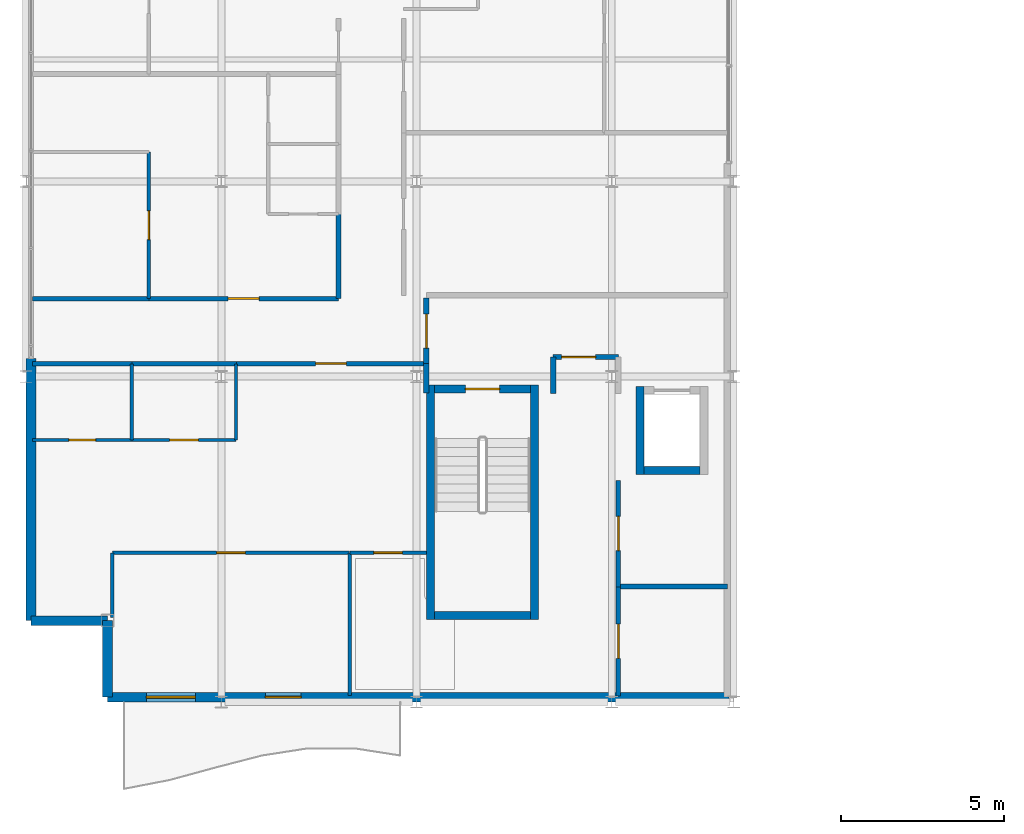
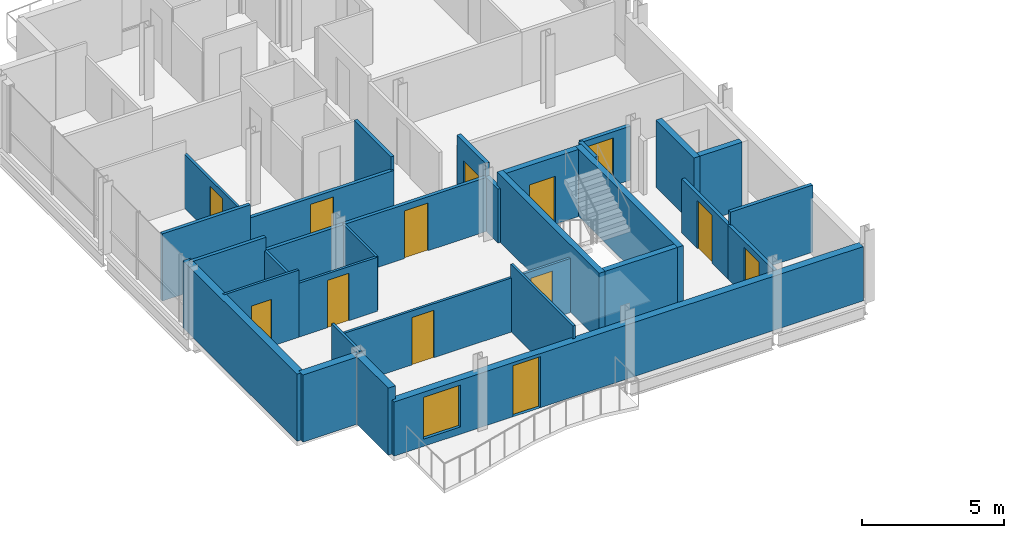
# One storey, part 23 of 29: 32 walls, 13 doors, 1 window, 14 openings.
"""IFC4 building model written with IfcOpenShell, lengths in metres."""

from ifc_helpers import new_model, si_unit, direction, frame, frame_2d, origin, place, context, subcontext, project, spatial, rectangle, extrude, material, layer, layer_set, type_object, element, fill, save


model = new_model("IFC4")

# Units and contexts
model_context = context("Model", 3, precision=1e-05, world=origin(), true_north=direction((0.0, 1.0)))
body_context = subcontext(model_context, "Body", "Model", "MODEL_VIEW")
ifc_project = project(units=[si_unit("LENGTHUNIT", "METRE"), si_unit("AREAUNIT", "SQUARE_METRE"), si_unit("VOLUMEUNIT", "CUBIC_METRE"), si_unit("PLANEANGLEUNIT", "RADIAN"), si_unit("MASSUNIT", "GRAM", prefix="KILO")], contexts=[model_context])

# Site, building, storey
site_placement = place(None, origin())
site = spatial("IfcSite", under=ifc_project, at=site_placement, CompositionType="ELEMENT")
building_placement = place(site_placement, origin())
building = spatial("IfcBuilding", under=site, at=building_placement, Name="Brevholm Reach", CompositionType="ELEMENT")
storey_placement = place(building_placement, frame((0.0, 0.0, 201.800048828125)))
storey = spatial("IfcBuildingStorey", under=building, at=storey_placement, Name="L61", CompositionType="ELEMENT", Elevation=201.800048828125)

# Walls
ifc_material_1 = material(Name="Concrete C45/55", Category="concrete")
ifc_layer_1 = layer(ifc_material_1, 0.239990234375)
ifc_layer_set_1 = layer_set([ifc_layer_1], Name="Concrete C45/55")
wall_type_1 = type_object("IfcWallType", Name="WAL-COR-240", PredefinedType="SHEAR", material=ifc_layer_set_1)
for number, where, z_axis, x_axis, name in (
    (1, (12.429931640625, 2.5400390625, 0.0), (0.0, 0.0, 1.0), (0.0, 1.0, 0.0), "L61 Escape Stair ST-1 Core Wall W"),
    (2, (15.6201171875, 2.5400390625, 0.0), (0.0, 0.0, 1.0), (0.0, 1.0, 0.0), "L61 Escape Stair ST-1 Core Wall E"),
):
    element("IfcWall", number, at=place(storey_placement, frame(where, z_axis=z_axis, x_axis=x_axis)), inside=storey, type_object=wall_type_1, Name=name, PredefinedType="SHEAR", context=body_context, shape_type="SweptSolid", body=[
        extrude(rectangle(XDim=7.199951171875, YDim=0.239990234375, at=frame_2d((3.60009765625, 0.0))), origin(), (0.0, 0.0, 1.0), 2.889892578125),
    ])
wall_1_placement = place(storey_placement, frame((12.550048828125, 2.659912109375, 0.0), z_axis=(0.0, 0.0, 1.0), x_axis=(1.0, 0.0, 0.0)))
element("IfcWall", 3, at=wall_1_placement, inside=storey, type_object=wall_type_1, Name="L61 Escape Stair ST-1 Core Wall S", PredefinedType="SHEAR", context=body_context, shape_type="SweptSolid", body=[
    extrude(rectangle(XDim=2.949951171875, YDim=0.239990234375, at=frame_2d((1.47509765625, 0.0))), origin(), (0.0, 0.0, 1.0), 2.889892578125),
])

# Wall, opening, door
wall_2_placement = place(storey_placement, frame((15.5, 9.6201171875, 0.0), z_axis=(0.0, 0.0, 1.0), x_axis=(-1.0, 0.0, 0.0)))
wall_2 = element("IfcWall", 4, at=wall_2_placement, inside=storey, type_object=wall_type_1, Name="L61 Escape Stair ST-1 Core Wall N", PredefinedType="SHEAR", context=body_context, shape_type="SweptSolid", body=[
    extrude(rectangle(XDim=2.949951171875, YDim=0.239990234375, at=frame_2d((1.47509765625, 0.0))), origin(), (0.0, 0.0, 1.0), 2.889892578125),
])
opening_1_placement = place(wall_2_placement, frame((0.949951171875, 0.0, 0.0)))
opening_1 = element("IfcOpeningElement", 5, at=opening_1_placement, cuts=wall_2, Name="Opening SD-ST-1", PredefinedType="OPENING", context=body_context, shape_type="SweptSolid", body=[
    extrude(rectangle(XDim=1.050048828125, YDim=2.06005859375, at=frame_2d((0.52490234375, 1.030029296875))), frame((0.0, 0.1298828125, 0.0), z_axis=(0.0, -1.0, 0.0), x_axis=(1.0, 0.0, 0.0)), (0.0, 0.0, 1.0), 0.260009765625),
])
ifc_material_2 = material(Name="Hardwood-Lipped Steel-Core Fire and Smoke Door", Category="steel")
door_type_1 = type_object("IfcDoorType", Name="DOR-INT-FD60S", OperationType="NOTDEFINED", PredefinedType="DOOR", material=ifc_material_2)
door_1_placement = place(opening_1_placement, origin())
door_1 = element("IfcDoor", 6, at=door_1_placement, inside=storey, type_object=door_type_1, Name="L61 Protected Stair ST-1 Lobby Door", OperationType="SINGLE_SWING_LEFT", OverallHeight=2.06005859375, OverallWidth=1.050048828125, PredefinedType="DOOR", context=body_context, shape_type="SweptSolid", body=[
    extrude(rectangle(XDim=1.050048828125, YDim=2.06005859375, at=frame_2d((0.52490234375, 1.030029296875))), frame((0.0, 0.02490234375, 0.0), z_axis=(0.0, -1.0, 0.0), x_axis=(1.0, 0.0, 0.0)), (0.0, 0.0, 1.0), 0.050048828125),
])
fill(opening_1, door_1)

# Walls
wall_3_placement = place(storey_placement, frame((18.8701171875, 7.0, 0.0), z_axis=(0.0, 0.0, 1.0), x_axis=(0.0, 1.0, 0.0)))
element("IfcWall", 7, at=wall_3_placement, inside=storey, type_object=wall_type_1, Name="L61 Lift FFL-1 Shaft Wall W", PredefinedType="SHEAR", context=body_context, shape_type="SweptSolid", body=[
    extrude(rectangle(XDim=2.699951171875, YDim=0.239990234375, at=frame_2d((1.35009765625, 0.0))), origin(), (0.0, 0.0, 1.0), 2.889892578125),
])
wall_4_placement = place(storey_placement, frame((18.989990234375, 7.1201171875, 0.0), z_axis=(0.0, 0.0, 1.0), x_axis=(1.0, 0.0, 0.0)))
element("IfcWall", 8, at=wall_4_placement, inside=storey, type_object=wall_type_1, Name="L61 Lift FFL-1 Shaft Wall S", PredefinedType="SHEAR", context=body_context, shape_type="SweptSolid", body=[
    extrude(rectangle(XDim=1.719970703125, YDim=0.239990234375, at=frame_2d((0.85986328125, 0.0))), origin(), (0.0, 0.0, 1.0), 2.889892578125),
])
ifc_material_3 = material(Name="Concrete C40/50", Category="concrete")
ifc_layer_2 = layer(ifc_material_3, 0.300048828125)
ifc_layer_set_2 = layer_set([ifc_layer_2], Name="Concrete C40/50")
wall_type_2 = type_object("IfcWallType", Name="WAL-EXT-300", PredefinedType="STANDARD", material=ifc_layer_set_2)
for number, where, z_axis, x_axis, name in (
    (9, (2.5, 2.5, 0.0), (0.0, 0.0, 1.0), (0.0, -1.0, 0.0), "L61 Facade Wall WAL-L61-WW-CSW1"),
    (10, (0.14990234375, 2.5, 0.0), (0.0, 0.0, 1.0), (1.0, 0.0, 0.0), "L61 Facade Wall WAL-L61-WW-CSW2"),
):
    element("IfcWall", number, at=place(storey_placement, frame(where, z_axis=z_axis, x_axis=x_axis)), inside=storey, type_object=wall_type_2, Name=name, PredefinedType="STANDARD", context=body_context, shape_type="SweptSolid", body=[
        extrude(rectangle(XDim=2.35009765625, YDim=0.300048828125, at=frame_2d((1.175048828125, 0.0))), origin(), (0.0, 0.0, 1.0), 2.889892578125),
    ])

# Wall, openings, door, window
wall_5_placement = place(storey_placement, frame((2.5, 0.14990234375, 0.0), z_axis=(0.0, 0.0, 1.0), x_axis=(1.0, 0.0, 0.0)))
wall_5 = element("IfcWall", 11, at=wall_5_placement, inside=storey, type_object=wall_type_2, Name="L61 Facade Wall WAL-L61-WW-S", PredefinedType="STANDARD", context=body_context, shape_type="SweptSolid", body=[
    extrude(rectangle(XDim=19.10009765625, YDim=0.300048828125, at=frame_2d((9.550048828125, 0.0))), origin(), (0.0, 0.0, 1.0), 2.331787109375),
])
opening_2_placement = place(wall_5_placement, frame((4.85009765625, 0.0, 0.0)))
opening_2 = element("IfcOpeningElement", 12, at=opening_2_placement, cuts=wall_5, Name="Opening BD-01", PredefinedType="OPENING", context=body_context, shape_type="SweptSolid", body=[
    extrude(rectangle(XDim=1.10009765625, YDim=2.199951171875, at=frame_2d((0.550048828125, 1.10009765625))), frame((0.0, 0.159912109375, 0.0), z_axis=(0.0, -1.0, 0.0), x_axis=(1.0, 0.0, 0.0)), (0.0, 0.0, 1.0), 0.320068359375),
])
opening_3_placement = place(wall_5_placement, frame((1.199951171875, 0.0, 0.31201171875)))
opening_3 = element("IfcOpeningElement", 13, at=opening_3_placement, cuts=wall_5, Name="Opening WN-05", PredefinedType="OPENING", context=body_context, shape_type="SweptSolid", body=[
    extrude(rectangle(XDim=1.5, YDim=1.800048828125, at=frame_2d((0.75, 0.89990234375))), frame((0.0, 0.159912109375, 0.0), z_axis=(0.0, -1.0, 0.0), x_axis=(1.0, 0.0, 0.0)), (0.0, 0.0, 1.0), 0.320068359375),
])
ifc_material_4 = material(Name="Dark Anodised Aluminium and Triple-Glazed Glass", Category="aluminium")
door_type_2 = type_object("IfcDoorType", Name="DOR-BALC-1100", OperationType="NOTDEFINED", PredefinedType="DOOR", material=ifc_material_4)
door_2_placement = place(opening_2_placement, origin())
door_2 = element("IfcDoor", 14, at=door_2_placement, inside=storey, type_object=door_type_2, Name="L61 Exterior Door DOR-L61-BL-SW", OperationType="SINGLE_SWING_LEFT", OverallHeight=2.199951171875, OverallWidth=1.10009765625, PredefinedType="DOOR", context=body_context, shape_type="SweptSolid", body=[
    extrude(rectangle(XDim=1.10009765625, YDim=2.199951171875, at=frame_2d((0.550048828125, 1.10009765625))), frame((0.0, 0.02490234375, 0.0), z_axis=(0.0, -1.0, 0.0), x_axis=(1.0, 0.0, 0.0)), (0.0, 0.0, 1.0), 0.050048828125),
])
fill(opening_2, door_2)
ifc_material_5 = material(Name="Dark Anodised Aluminium and Solar-Control IGU Glass", Category="aluminium")
window_type = type_object("IfcWindowType", Name="WIN-RES-1500", PartitioningType="SINGLE_PANEL", PredefinedType="WINDOW", material=ifc_material_5)
window_placement = place(opening_3_placement, origin())
window = element("IfcWindow", 15, at=window_placement, inside=storey, type_object=window_type, Name="L61 Window WIN-L61-WWS-1", OverallHeight=1.800048828125, OverallWidth=1.5, PartitioningType="SINGLE_PANEL", PredefinedType="WINDOW", context=body_context, shape_type="SweptSolid", body=[
    extrude(rectangle(XDim=1.5, YDim=1.800048828125, at=frame_2d((0.75, 0.89990234375))), frame((0.0, 0.030029296875, 0.0), z_axis=(0.0, -1.0, 0.0), x_axis=(1.0, 0.0, 0.0)), (0.0, 0.0, 1.0), 0.06005859375),
])
fill(opening_3, window)

# Walls
wall_6_placement = place(storey_placement, frame((0.14990234375, 10.550048828125, 0.0), z_axis=(0.0, 0.0, 1.0), x_axis=(0.0, -1.0, 0.0)))
element("IfcWall", 16, at=wall_6_placement, inside=storey, type_object=wall_type_2, Name="L61 Facade Wall WAL-L61-WW-WS", PredefinedType="STANDARD", context=body_context, shape_type="SweptSolid", body=[
    extrude(rectangle(XDim=8.050048828125, YDim=0.300048828125, at=frame_2d((4.02490234375, 0.0))), origin(), (0.0, 0.0, 1.0), 2.889892578125),
])
ifc_material_6 = material(Name="Moisture-Resistant Acoustic Gypsum Stud Partition 100 mm", Category="gypsum")
ifc_layer_3 = layer(ifc_material_6, 0.10009765625)
ifc_layer_set_3 = layer_set([ifc_layer_3], Name="Moisture-Resistant Acoustic Gypsum Stud Partition 100 mm")
wall_type_3 = type_object("IfcWallType", Name="WAL-PRT-100", PredefinedType="PARTITIONING", material=ifc_layer_set_3)
wall_7_placement = place(storey_placement, frame((3.25, 8.053955078125, 0.0), z_axis=(0.0, 0.0, 1.0), x_axis=(0.0, 1.0, 0.0)))
element("IfcWall", 17, at=wall_7_placement, inside=storey, type_object=wall_type_3, Name="L61 Internal Partition 039", PredefinedType="PARTITIONING", context=body_context, shape_type="SweptSolid", body=[
    extrude(rectangle(XDim=2.342041015625, YDim=0.10009765625, at=frame_2d((1.1708984375, 0.0))), origin(), (0.0, 0.0, 1.0), 2.325439453125),
])

# Wall, opening, door
wall_8_placement = place(storey_placement, frame((0.199951171875, 8.053955078125, 0.0), z_axis=(0.0, 0.0, 1.0), x_axis=(1.0, 0.0, 0.0)))
wall_8 = element("IfcWall", 18, at=wall_8_placement, inside=storey, type_object=wall_type_3, Name="L61 Internal Partition 040", PredefinedType="PARTITIONING", context=body_context, shape_type="SweptSolid", body=[
    extrude(rectangle(XDim=3.050048828125, YDim=0.10009765625, at=frame_2d((1.52490234375, 0.0))), origin(), (0.0, 0.0, 1.0), 2.889892578125),
])
opening_4_placement = place(wall_8_placement, frame((1.114990234375, 0.0, 0.0)))
opening_4 = element("IfcOpeningElement", 19, at=opening_4_placement, cuts=wall_8, Name="Opening ID-03", PredefinedType="OPENING", context=body_context, shape_type="SweptSolid", body=[
    extrude(rectangle(XDim=0.820068359375, YDim=2.02001953125, at=frame_2d((0.41015625, 1.010009765625))), frame((0.0, 0.06005859375, 0.0), z_axis=(0.0, -1.0, 0.0), x_axis=(1.0, 0.0, 0.0)), (0.0, 0.0, 1.0), 0.1201171875),
])
ifc_material_7 = material(Name="Moisture-Resistant Painted Timber Internal Bathroom Door", Category="wood")
door_type_3 = type_object("IfcDoorType", Name="DOR-BATH-820", OperationType="NOTDEFINED", PredefinedType="DOOR", material=ifc_material_7)
door_3_placement = place(opening_4_placement, origin())
door_3 = element("IfcDoor", 20, at=door_3_placement, inside=storey, type_object=door_type_3, Name="L61 Internal Door 019", OperationType="SINGLE_SWING_RIGHT", OverallHeight=2.02001953125, OverallWidth=0.820068359375, PredefinedType="DOOR", context=body_context, shape_type="SweptSolid", body=[
    extrude(rectangle(XDim=0.820068359375, YDim=2.02001953125, at=frame_2d((0.41015625, 1.010009765625))), frame((0.0, 0.02490234375, 0.0), z_axis=(0.0, -1.0, 0.0), x_axis=(1.0, 0.0, 0.0)), (0.0, 0.0, 1.0), 0.050048828125),
])
fill(opening_4, door_3)

wall_9_placement = place(storey_placement, frame((3.25390625, 8.053955078125, 0.0), z_axis=(0.0, 0.0, 1.0), x_axis=(1.0, 0.0, 0.0)))
wall_9 = element("IfcWall", 21, at=wall_9_placement, inside=storey, type_object=wall_type_3, Name="L61 Internal Partition 041", PredefinedType="PARTITIONING", context=body_context, shape_type="SweptSolid", body=[
    extrude(rectangle(XDim=3.196044921875, YDim=0.10009765625, at=frame_2d((1.59814453125, 0.0))), origin(), (0.0, 0.0, 1.0), 2.325439453125),
])
opening_5_placement = place(wall_9_placement, frame((1.157958984375, 0.0, 0.0)))
opening_5 = element("IfcOpeningElement", 22, at=opening_5_placement, cuts=wall_9, Name="Opening ID-01", PredefinedType="OPENING", context=body_context, shape_type="SweptSolid", body=[
    extrude(rectangle(XDim=0.8798828125, YDim=2.0400390625, at=frame_2d((0.43994140625, 1.02001953125))), frame((0.0, 0.06005859375, 0.0), z_axis=(0.0, -1.0, 0.0), x_axis=(1.0, 0.0, 0.0)), (0.0, 0.0, 1.0), 0.1201171875),
])
ifc_material_8 = material(Name="Lacquered Ash Solid-Core Acoustic Internal Door", Category="timber")
door_type_4 = type_object("IfcDoorType", Name="DOR-INT-880", OperationType="NOTDEFINED", PredefinedType="DOOR", material=ifc_material_8)
door_4_placement = place(opening_5_placement, origin())
door_4 = element("IfcDoor", 23, at=door_4_placement, inside=storey, type_object=door_type_4, Name="L61 Internal Door 020", OperationType="SINGLE_SWING_LEFT", OverallHeight=2.0400390625, OverallWidth=0.8798828125, PredefinedType="DOOR", context=body_context, shape_type="SweptSolid", body=[
    extrude(rectangle(XDim=0.8798828125, YDim=2.0400390625, at=frame_2d((0.43994140625, 1.02001953125))), frame((0.0, 0.02490234375, 0.0), z_axis=(0.0, -1.0, 0.0), x_axis=(1.0, 0.0, 0.0)), (0.0, 0.0, 1.0), 0.050048828125),
])
fill(opening_5, door_4)

# Walls
wall_10_placement = place(storey_placement, frame((6.449951171875, 8.053955078125, 0.0), z_axis=(0.0, 0.0, 1.0), x_axis=(0.0, 1.0, 0.0)))
element("IfcWall", 24, at=wall_10_placement, inside=storey, type_object=wall_type_3, Name="L61 Internal Partition 042", PredefinedType="PARTITIONING", context=body_context, shape_type="SweptSolid", body=[
    extrude(rectangle(XDim=2.342041015625, YDim=0.10009765625, at=frame_2d((1.1708984375, 0.0))), origin(), (0.0, 0.0, 1.0), 2.325439453125),
])
wall_11_placement = place(storey_placement, frame((9.946044921875, 0.199951171875, 0.0), z_axis=(0.0, 0.0, 1.0), x_axis=(0.0, 1.0, 0.0)))
element("IfcWall", 25, at=wall_11_placement, inside=storey, type_object=wall_type_3, Name="L61 Internal Partition 043", PredefinedType="PARTITIONING", context=body_context, shape_type="SweptSolid", body=[
    extrude(rectangle(XDim=4.385986328125, YDim=0.10009765625, at=frame_2d((2.19287109375, 0.0))), origin(), (0.0, 0.0, 1.0), 2.889892578125),
])
wall_12_placement = place(storey_placement, frame((2.64990234375, 2.599365234375, 0.0), z_axis=(0.0, 0.0, 1.0), x_axis=(0.0, 1.0, 0.0)))
element("IfcWall", 26, at=wall_12_placement, inside=storey, type_object=wall_type_3, Name="L61 Internal Partition 044", PredefinedType="PARTITIONING", context=body_context, shape_type="SweptSolid", body=[
    extrude(rectangle(XDim=1.986572265625, YDim=0.10009765625, at=frame_2d((0.9931640625, 0.0))), origin(), (0.0, 0.0, 1.0), 2.889892578125),
])

# Wall, opening, door
wall_13_placement = place(storey_placement, frame((2.64990234375, 4.5859375, 0.0), z_axis=(0.0, 0.0, 1.0), x_axis=(1.0, 0.0, 0.0)))
wall_13 = element("IfcWall", 27, at=wall_13_placement, inside=storey, type_object=wall_type_3, Name="L61 Internal Partition 045", PredefinedType="PARTITIONING", context=body_context, shape_type="SweptSolid", body=[
    extrude(rectangle(XDim=7.296142578125, YDim=0.10009765625, at=frame_2d((3.64794921875, 0.0))), origin(), (0.0, 0.0, 1.0), 2.325439453125),
])
opening_6_placement = place(wall_13_placement, frame((3.2080078125, 0.0, 0.0)))
opening_6 = element("IfcOpeningElement", 28, at=opening_6_placement, cuts=wall_13, Name="Opening ID-01", PredefinedType="OPENING", context=body_context, shape_type="SweptSolid", body=[
    extrude(rectangle(XDim=0.8798828125, YDim=2.0400390625, at=frame_2d((0.43994140625, 1.02001953125))), frame((0.0, 0.06005859375, 0.0), z_axis=(0.0, -1.0, 0.0), x_axis=(1.0, 0.0, 0.0)), (0.0, 0.0, 1.0), 0.1201171875),
])
door_5_placement = place(opening_6_placement, origin())
door_5 = element("IfcDoor", 29, at=door_5_placement, inside=storey, type_object=door_type_4, Name="L61 Internal Door 021", OperationType="SINGLE_SWING_RIGHT", OverallHeight=2.0400390625, OverallWidth=0.8798828125, PredefinedType="DOOR", context=body_context, shape_type="SweptSolid", body=[
    extrude(rectangle(XDim=0.8798828125, YDim=2.0400390625, at=frame_2d((0.43994140625, 1.02001953125))), frame((0.0, 0.02490234375, 0.0), z_axis=(0.0, -1.0, 0.0), x_axis=(1.0, 0.0, 0.0)), (0.0, 0.0, 1.0), 0.050048828125),
])
fill(opening_6, door_5)

wall_14_placement = place(storey_placement, frame((9.949951171875, 4.5859375, 0.0), z_axis=(0.0, 0.0, 1.0), x_axis=(1.0, 0.0, 0.0)))
wall_14 = element("IfcWall", 30, at=wall_14_placement, inside=storey, type_object=wall_type_3, Name="L61 Internal Partition 046", PredefinedType="PARTITIONING", context=body_context, shape_type="SweptSolid", body=[
    extrude(rectangle(XDim=2.35009765625, YDim=0.10009765625, at=frame_2d((1.175048828125, 0.0))), origin(), (0.0, 0.0, 1.0), 2.325439453125),
])
opening_7_placement = place(wall_14_placement, frame((0.735107421875, 0.0, 0.0)))
opening_7 = element("IfcOpeningElement", 31, at=opening_7_placement, cuts=wall_14, Name="Opening ID-01", PredefinedType="OPENING", context=body_context, shape_type="SweptSolid", body=[
    extrude(rectangle(XDim=0.8798828125, YDim=2.0400390625, at=frame_2d((0.43994140625, 1.02001953125))), frame((0.0, 0.06005859375, 0.0), z_axis=(0.0, -1.0, 0.0), x_axis=(1.0, 0.0, 0.0)), (0.0, 0.0, 1.0), 0.1201171875),
])
door_6_placement = place(opening_7_placement, origin())
door_6 = element("IfcDoor", 32, at=door_6_placement, inside=storey, type_object=door_type_4, Name="L61 Internal Door 022", OperationType="SINGLE_SWING_LEFT", OverallHeight=2.0400390625, OverallWidth=0.8798828125, PredefinedType="DOOR", context=body_context, shape_type="SweptSolid", body=[
    extrude(rectangle(XDim=0.8798828125, YDim=2.0400390625, at=frame_2d((0.43994140625, 1.02001953125))), frame((0.0, 0.02490234375, 0.0), z_axis=(0.0, -1.0, 0.0), x_axis=(1.0, 0.0, 0.0)), (0.0, 0.0, 1.0), 0.050048828125),
])
fill(opening_7, door_6)

wall_15_placement = place(storey_placement, frame((3.77197265625, 12.404052734375, 0.0), z_axis=(0.0, 0.0, 1.0), x_axis=(0.0, 1.0, 0.0)))
wall_15 = element("IfcWall", 33, at=wall_15_placement, inside=storey, type_object=wall_type_3, Name="L61 Internal Partition 052", PredefinedType="PARTITIONING", context=body_context, shape_type="SweptSolid", body=[
    extrude(rectangle(XDim=4.495849609375, YDim=0.10009765625, at=frame_2d((2.248046875, 0.0))), origin(), (0.0, 0.0, 1.0), 2.325439453125),
])
opening_8_placement = place(wall_15_placement, frame((1.80810546875, 0.0, 0.0)))
opening_8 = element("IfcOpeningElement", 34, at=opening_8_placement, cuts=wall_15, Name="Opening ID-01", PredefinedType="OPENING", context=body_context, shape_type="SweptSolid", body=[
    extrude(rectangle(XDim=0.8798828125, YDim=2.0400390625, at=frame_2d((0.43994140625, 1.02001953125))), frame((0.0, 0.06005859375, 0.0), z_axis=(0.0, -1.0, 0.0), x_axis=(1.0, 0.0, 0.0)), (0.0, 0.0, 1.0), 0.1201171875),
])
door_7_placement = place(opening_8_placement, origin())
door_7 = element("IfcDoor", 35, at=door_7_placement, inside=storey, type_object=door_type_4, Name="L61 Internal Door 025", OperationType="SINGLE_SWING_RIGHT", OverallHeight=2.0400390625, OverallWidth=0.8798828125, PredefinedType="DOOR", context=body_context, shape_type="SweptSolid", body=[
    extrude(rectangle(XDim=0.8798828125, YDim=2.0400390625, at=frame_2d((0.43994140625, 1.02001953125))), frame((0.0, 0.02490234375, 0.0), z_axis=(0.0, -1.0, 0.0), x_axis=(1.0, 0.0, 0.0)), (0.0, 0.0, 1.0), 0.050048828125),
])
fill(opening_8, door_7)

ifc_material_9 = material(Name="Twin-Stud Acoustic Fire-Rated Gypsum Partition 140 mm", Category="gypsum")
ifc_layer_4 = layer(ifc_material_9, 0.139892578125)
ifc_layer_set_4 = layer_set([ifc_layer_4], Name="Twin-Stud Acoustic Fire-Rated Gypsum Partition 140 mm")
wall_type_4 = type_object("IfcWallType", Name="WAL-PRT-140", PredefinedType="PARTITIONING", material=ifc_layer_set_4)
wall_16_placement = place(storey_placement, frame((18.199951171875, 0.179931640625, 0.0), z_axis=(0.0, 0.0, 1.0), x_axis=(0.0, 1.0, 0.0)))
wall_16 = element("IfcWall", 36, at=wall_16_placement, inside=storey, type_object=wall_type_4, Name="L61 Internal Partition 001", PredefinedType="PARTITIONING", context=body_context, shape_type="SweptSolid", body=[
    extrude(rectangle(XDim=3.38134765625, YDim=0.139892578125, at=frame_2d((1.690673828125, 0.0))), origin(), (0.0, 0.0, 1.0), 2.325439453125),
])
opening_9_placement = place(wall_16_placement, frame((1.16552734375, 0.0, 0.0)))
opening_9 = element("IfcOpeningElement", 37, at=opening_9_placement, cuts=wall_16, Name="Opening FD-01", PredefinedType="OPENING", context=body_context, shape_type="SweptSolid", body=[
    extrude(rectangle(XDim=1.050048828125, YDim=2.06005859375, at=frame_2d((0.52490234375, 1.030029296875))), frame((0.0, 0.079833984375, 0.0), z_axis=(0.0, -1.0, 0.0), x_axis=(1.0, 0.0, 0.0)), (0.0, 0.0, 1.0), 0.159912109375),
])
door_8_placement = place(opening_9_placement, origin())
door_8 = element("IfcDoor", 38, at=door_8_placement, inside=storey, type_object=door_type_1, Name="L61 Internal Door 001", OperationType="SINGLE_SWING_RIGHT", OverallHeight=2.06005859375, OverallWidth=1.050048828125, PredefinedType="DOOR", context=body_context, shape_type="SweptSolid", body=[
    extrude(rectangle(XDim=1.050048828125, YDim=2.06005859375, at=frame_2d((0.52490234375, 1.030029296875))), frame((0.0, 0.02490234375, 0.0), z_axis=(0.0, -1.0, 0.0), x_axis=(1.0, 0.0, 0.0)), (0.0, 0.0, 1.0), 0.050048828125),
])
fill(opening_9, door_8)

wall_17_placement = place(storey_placement, frame((18.199951171875, 3.542724609375, 0.0), z_axis=(0.0, 0.0, 1.0), x_axis=(0.0, 1.0, 0.0)))
wall_17 = element("IfcWall", 39, at=wall_17_placement, inside=storey, type_object=wall_type_4, Name="L61 Internal Partition 002", PredefinedType="PARTITIONING", context=body_context, shape_type="SweptSolid", body=[
    extrude(rectangle(XDim=3.2685546875, YDim=0.139892578125, at=frame_2d((1.63427734375, 0.0))), origin(), (0.0, 0.0, 1.0), 2.325439453125),
])
opening_10_placement = place(wall_17_placement, frame((1.109375, 0.0, 0.0)))
opening_10 = element("IfcOpeningElement", 40, at=opening_10_placement, cuts=wall_17, Name="Opening FD-01", PredefinedType="OPENING", context=body_context, shape_type="SweptSolid", body=[
    extrude(rectangle(XDim=1.050048828125, YDim=2.06005859375, at=frame_2d((0.52490234375, 1.030029296875))), frame((0.0, 0.079833984375, 0.0), z_axis=(0.0, -1.0, 0.0), x_axis=(1.0, 0.0, 0.0)), (0.0, 0.0, 1.0), 0.159912109375),
])
door_9_placement = place(opening_10_placement, origin())
door_9 = element("IfcDoor", 41, at=door_9_placement, inside=storey, type_object=door_type_1, Name="L61 Internal Door 002", OperationType="SINGLE_SWING_LEFT", OverallHeight=2.06005859375, OverallWidth=1.050048828125, PredefinedType="DOOR", context=body_context, shape_type="SweptSolid", body=[
    extrude(rectangle(XDim=1.050048828125, YDim=2.06005859375, at=frame_2d((0.52490234375, 1.030029296875))), frame((0.0, 0.02490234375, 0.0), z_axis=(0.0, -1.0, 0.0), x_axis=(1.0, 0.0, 0.0)), (0.0, 0.0, 1.0), 0.050048828125),
])
fill(opening_10, door_9)

# Walls
wall_18_placement = place(storey_placement, frame((18.2041015625, 3.550048828125, 0.0), z_axis=(0.0, 0.0, 1.0), x_axis=(1.0, 0.0, 0.0)))
element("IfcWall", 42, at=wall_18_placement, inside=storey, type_object=wall_type_4, Name="L61 Internal Partition 011", PredefinedType="PARTITIONING", context=body_context, shape_type="SweptSolid", body=[
    extrude(rectangle(XDim=3.345947265625, YDim=0.139892578125, at=frame_2d((1.6728515625, 0.0))), origin(), (0.0, 0.0, 1.0), 2.889892578125),
])
wall_19_placement = place(storey_placement, frame((0.199951171875, 10.39990234375, 0.0), z_axis=(0.0, 0.0, 1.0), x_axis=(1.0, 0.0, 0.0)))
element("IfcWall", 43, at=wall_19_placement, inside=storey, type_object=wall_type_4, Name="L61 Internal Partition 016", PredefinedType="PARTITIONING", context=body_context, shape_type="SweptSolid", body=[
    extrude(rectangle(XDim=3.061279296875, YDim=0.139892578125, at=frame_2d((1.53076171875, 0.0))), origin(), (0.0, 0.0, 1.0), 2.889892578125),
])
wall_20_placement = place(storey_placement, frame((3.24267578125, 10.39990234375, 0.0), z_axis=(0.0, 0.0, 1.0), x_axis=(1.0, 0.0, 0.0)))
element("IfcWall", 44, at=wall_20_placement, inside=storey, type_object=wall_type_4, Name="L61 Internal Partition 017", PredefinedType="PARTITIONING", context=body_context, shape_type="SweptSolid", body=[
    extrude(rectangle(XDim=3.218505859375, YDim=0.139892578125, at=frame_2d((1.609375, 0.0))), origin(), (0.0, 0.0, 1.0), 2.325439453125),
])

# Wall, opening, door
wall_21_placement = place(storey_placement, frame((6.442626953125, 10.39990234375, 0.0), z_axis=(0.0, 0.0, 1.0), x_axis=(1.0, 0.0, 0.0)))
wall_21 = element("IfcWall", 45, at=wall_21_placement, inside=storey, type_object=wall_type_4, Name="L61 Internal Partition 018", PredefinedType="PARTITIONING", context=body_context, shape_type="SweptSolid", body=[
    extrude(rectangle(XDim=5.853271484375, YDim=0.139892578125, at=frame_2d((2.9267578125, 0.0))), origin(), (0.0, 0.0, 1.0), 2.325439453125),
])
opening_11_placement = place(wall_21_placement, frame((2.45166015625, 0.0, 0.0)))
opening_11 = element("IfcOpeningElement", 46, at=opening_11_placement, cuts=wall_21, Name="Opening ID-30", PredefinedType="OPENING", context=body_context, shape_type="SweptSolid", body=[
    extrude(rectangle(XDim=0.949951171875, YDim=2.050048828125, at=frame_2d((0.47509765625, 1.02490234375))), frame((0.0, 0.079833984375, 0.0), z_axis=(0.0, -1.0, 0.0), x_axis=(1.0, 0.0, 0.0)), (0.0, 0.0, 1.0), 0.159912109375),
])
ifc_material_10 = material(Name="European Oak Veneered Solid-Core Fire Entrance Door", Category="timber")
door_type_5 = type_object("IfcDoorType", Name="DOR-FLT-FD30S", OperationType="NOTDEFINED", PredefinedType="DOOR", material=ifc_material_10)
door_10_placement = place(opening_11_placement, origin())
door_10 = element("IfcDoor", 47, at=door_10_placement, inside=storey, type_object=door_type_5, Name="L61 Internal Door 009", OperationType="SINGLE_SWING_RIGHT", OverallHeight=2.050048828125, OverallWidth=0.949951171875, PredefinedType="DOOR", context=body_context, shape_type="SweptSolid", body=[
    extrude(rectangle(XDim=0.949951171875, YDim=2.050048828125, at=frame_2d((0.47509765625, 1.02490234375))), frame((0.0, 0.02490234375, 0.0), z_axis=(0.0, -1.0, 0.0), x_axis=(1.0, 0.0, 0.0)), (0.0, 0.0, 1.0), 0.050048828125),
])
fill(opening_11, door_10)

# Wall
wall_22_placement = place(storey_placement, frame((0.199951171875, 12.39990234375, 0.0), z_axis=(0.0, 0.0, 1.0), x_axis=(1.0, 0.0, 0.0)))
element("IfcWall", 48, at=wall_22_placement, inside=storey, type_object=wall_type_4, Name="L61 Internal Partition 019", PredefinedType="PARTITIONING", context=body_context, shape_type="SweptSolid", body=[
    extrude(rectangle(XDim=3.583251953125, YDim=0.139892578125, at=frame_2d((1.79150390625, 0.0))), origin(), (0.0, 0.0, 1.0), 2.889892578125),
])

# Wall, opening, door
wall_23_placement = place(storey_placement, frame((3.7646484375, 12.39990234375, 0.0), z_axis=(0.0, 0.0, 1.0), x_axis=(1.0, 0.0, 0.0)))
wall_23 = element("IfcWall", 49, at=wall_23_placement, inside=storey, type_object=wall_type_4, Name="L61 Internal Partition 020", PredefinedType="PARTITIONING", context=body_context, shape_type="SweptSolid", body=[
    extrude(rectangle(XDim=5.8427734375, YDim=0.139892578125, at=frame_2d((2.92138671875, 0.0))), origin(), (0.0, 0.0, 1.0), 2.325439453125),
])
opening_12_placement = place(wall_23_placement, frame((2.4462890625, 0.0, 0.0)))
opening_12 = element("IfcOpeningElement", 50, at=opening_12_placement, cuts=wall_23, Name="Opening ID-30", PredefinedType="OPENING", context=body_context, shape_type="SweptSolid", body=[
    extrude(rectangle(XDim=0.949951171875, YDim=2.050048828125, at=frame_2d((0.47509765625, 1.02490234375))), frame((0.0, 0.079833984375, 0.0), z_axis=(0.0, -1.0, 0.0), x_axis=(1.0, 0.0, 0.0)), (0.0, 0.0, 1.0), 0.159912109375),
])
door_11_placement = place(opening_12_placement, origin())
door_11 = element("IfcDoor", 51, at=door_11_placement, inside=storey, type_object=door_type_5, Name="L61 Internal Door 010", OperationType="SINGLE_SWING_LEFT", OverallHeight=2.050048828125, OverallWidth=0.949951171875, PredefinedType="DOOR", context=body_context, shape_type="SweptSolid", body=[
    extrude(rectangle(XDim=0.949951171875, YDim=2.050048828125, at=frame_2d((0.47509765625, 1.02490234375))), frame((0.0, 0.02490234375, 0.0), z_axis=(0.0, -1.0, 0.0), x_axis=(1.0, 0.0, 0.0)), (0.0, 0.0, 1.0), 0.050048828125),
])
fill(opening_12, door_11)

# Walls
wall_24_placement = place(storey_placement, frame((9.60009765625, 12.404052734375, 0.0), z_axis=(0.0, 0.0, 1.0), x_axis=(0.0, 1.0, 0.0)))
element("IfcWall", 52, at=wall_24_placement, inside=storey, type_object=wall_type_4, Name="L61 Internal Partition 023", PredefinedType="PARTITIONING", context=body_context, shape_type="SweptSolid", body=[
    extrude(rectangle(XDim=2.603271484375, YDim=0.139892578125, at=frame_2d((1.3017578125, 0.0))), origin(), (0.0, 0.0, 1.0), 2.889892578125),
])
ifc_material_11 = material(Name="Twin-Frame Fire-Rated Gypsum Board and Mineral Wool 160 mm", Category="gypsum")
ifc_layer_5 = layer(ifc_material_11, 0.159912109375)
ifc_layer_set_5 = layer_set([ifc_layer_5], Name="Twin-Frame Fire-Rated Gypsum Board and Mineral Wool 160 mm")
wall_type_5 = type_object("IfcWallType", Name="WAL-PRT-160", PredefinedType="PARTITIONING", material=ifc_layer_set_5)
wall_25_placement = place(storey_placement, frame((16.199951171875, 9.48876953125, 0.0), z_axis=(0.0, 0.0, 1.0), x_axis=(0.0, 1.0, 0.0)))
element("IfcWall", 53, at=wall_25_placement, inside=storey, type_object=wall_type_5, Name="L61 Internal Partition 003", PredefinedType="PARTITIONING", context=body_context, shape_type="SweptSolid", body=[
    extrude(rectangle(XDim=1.111328125, YDim=0.159912109375, at=frame_2d((0.5556640625, 0.0))), origin(), (0.0, 0.0, 1.0), 2.325439453125),
])

# Wall, opening, door
wall_26_placement = place(storey_placement, frame((16.199951171875, 10.60009765625, 0.0), z_axis=(0.0, 0.0, 1.0), x_axis=(1.0, 0.0, 0.0)))
wall_26 = element("IfcWall", 54, at=wall_26_placement, inside=storey, type_object=wall_type_5, Name="L61 Internal Partition 005", PredefinedType="PARTITIONING", context=body_context, shape_type="SweptSolid", body=[
    extrude(rectangle(XDim=2.0, YDim=0.159912109375, at=frame_2d((1.0, 0.0))), origin(), (0.0, 0.0, 1.0), 2.325439453125),
])
opening_13_placement = place(wall_26_placement, frame((0.2548828125, 0.0, 0.0)))
opening_13 = element("IfcOpeningElement", 55, at=opening_13_placement, cuts=wall_26, Name="Opening FD-01", PredefinedType="OPENING", context=body_context, shape_type="SweptSolid", body=[
    extrude(rectangle(XDim=1.050048828125, YDim=2.06005859375, at=frame_2d((0.52490234375, 1.030029296875))), frame((0.0, 0.08984375, 0.0), z_axis=(0.0, -1.0, 0.0), x_axis=(1.0, 0.0, 0.0)), (0.0, 0.0, 1.0), 0.179931640625),
])
door_12_placement = place(opening_13_placement, origin())
door_12 = element("IfcDoor", 56, at=door_12_placement, inside=storey, type_object=door_type_1, Name="L61 Internal Door 003", OperationType="SINGLE_SWING_RIGHT", OverallHeight=2.06005859375, OverallWidth=1.050048828125, PredefinedType="DOOR", context=body_context, shape_type="SweptSolid", body=[
    extrude(rectangle(XDim=1.050048828125, YDim=2.06005859375, at=frame_2d((0.52490234375, 1.030029296875))), frame((0.0, 0.02490234375, 0.0), z_axis=(0.0, -1.0, 0.0), x_axis=(1.0, 0.0, 0.0)), (0.0, 0.0, 1.0), 0.050048828125),
])
fill(opening_13, door_12)

wall_27_placement = place(storey_placement, frame((12.300048828125, 10.388671875, 0.0), z_axis=(0.0, 0.0, 1.0), x_axis=(0.0, 1.0, 0.0)))
wall_27 = element("IfcWall", 57, at=wall_27_placement, inside=storey, type_object=wall_type_5, Name="L61 Internal Partition 013", PredefinedType="PARTITIONING", context=body_context, shape_type="SweptSolid", body=[
    extrude(rectangle(XDim=2.022705078125, YDim=0.159912109375, at=frame_2d((1.01123046875, 0.0))), origin(), (0.0, 0.0, 1.0), 2.889892578125),
])
opening_14_placement = place(wall_27_placement, frame((0.486328125, 0.0, 0.0)))
opening_14 = element("IfcOpeningElement", 58, at=opening_14_placement, cuts=wall_27, Name="Opening FD-01", PredefinedType="OPENING", context=body_context, shape_type="SweptSolid", body=[
    extrude(rectangle(XDim=1.050048828125, YDim=2.06005859375, at=frame_2d((0.52490234375, 1.030029296875))), frame((0.0, 0.08984375, 0.0), z_axis=(0.0, -1.0, 0.0), x_axis=(1.0, 0.0, 0.0)), (0.0, 0.0, 1.0), 0.179931640625),
])
door_13_placement = place(opening_14_placement, origin())
door_13 = element("IfcDoor", 59, at=door_13_placement, inside=storey, type_object=door_type_1, Name="L61 Internal Door 008", OperationType="SINGLE_SWING_LEFT", OverallHeight=2.06005859375, OverallWidth=1.050048828125, PredefinedType="DOOR", context=body_context, shape_type="SweptSolid", body=[
    extrude(rectangle(XDim=1.050048828125, YDim=2.06005859375, at=frame_2d((0.52490234375, 1.030029296875))), frame((0.0, 0.02490234375, 0.0), z_axis=(0.0, -1.0, 0.0), x_axis=(1.0, 0.0, 0.0)), (0.0, 0.0, 1.0), 0.050048828125),
])
fill(opening_14, door_13)

# Wall
wall_28_placement = place(storey_placement, frame((12.300048828125, 9.5, 0.0), z_axis=(0.0, 0.0, 1.0), x_axis=(0.0, 1.0, 0.0)))
element("IfcWall", 60, at=wall_28_placement, inside=storey, type_object=wall_type_5, Name="L61 Internal Partition 014", PredefinedType="PARTITIONING", context=body_context, shape_type="SweptSolid", body=[
    extrude(rectangle(XDim=0.9072265625, YDim=0.159912109375, at=frame_2d((0.45361328125, 0.0))), origin(), (0.0, 0.0, 1.0), 2.325439453125),
])

save(model, "model.ifc")
